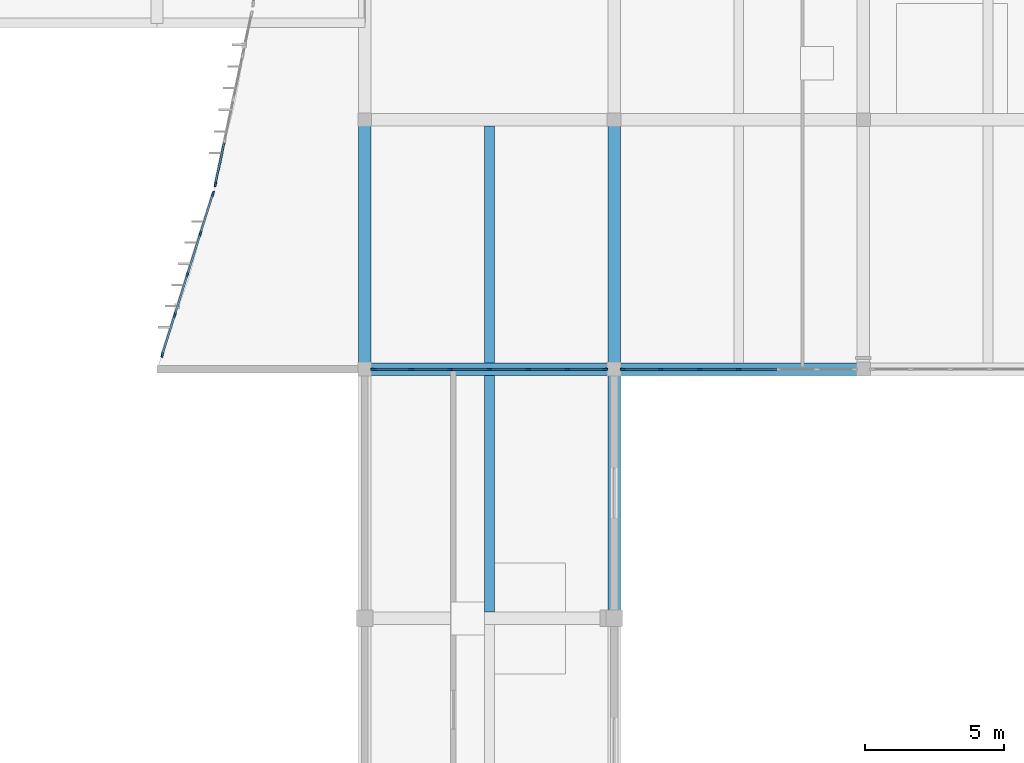
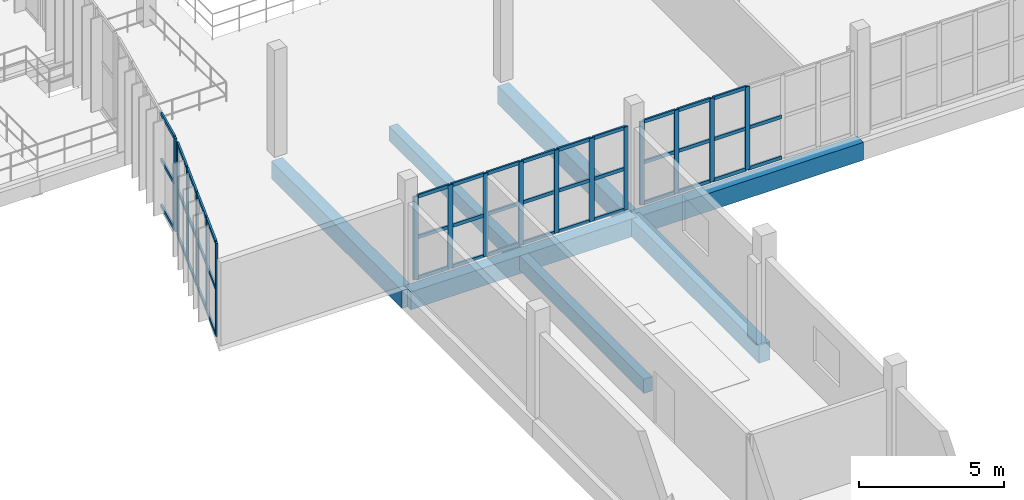
# One storey, part 28 of 81: 61 members, 7 beams, 4 elements without a shape of their own.
"""IFC4 building model written with IfcOpenShell, lengths in metres."""

from ifc_helpers import new_model, si_unit, direction, frame, origin, origin_2d, place, context, subcontext, project, spatial, rectangle, extrude, material, material_profile, profile_set, type_object, element, aggregate, save


model = new_model("IFC4")

# Units and contexts
model_context = context("Model", 3, precision=1e-05, world=origin(), true_north=direction((0.0, 1.0)))
body_context = subcontext(model_context, "Body", "Model", "MODEL_VIEW")
ifc_project = project(units=[si_unit("LENGTHUNIT", "METRE"), si_unit("AREAUNIT", "SQUARE_METRE"), si_unit("VOLUMEUNIT", "CUBIC_METRE"), si_unit("PLANEANGLEUNIT", "RADIAN"), si_unit("MASSUNIT", "GRAM", prefix="KILO")], contexts=[model_context])

# Site, building, storey
site_placement = place(None, origin())
site = spatial("IfcSite", under=ifc_project, at=site_placement, CompositionType="ELEMENT")
building_placement = place(site_placement, origin())
building = spatial("IfcBuilding", under=site, at=building_placement, Name="Vourika Railside Aquatics Centre", CompositionType="ELEMENT")
storey_placement = place(building_placement, frame((0.0, 0.0, 4.800048828125)))
storey = spatial("IfcBuildingStorey", under=building, at=storey_placement, Name="L01", CompositionType="ELEMENT", Elevation=4.800048828125)

# Beams
ifc_material_1 = material(Name="Concrete C35/45", Category="concrete")
ifc_material_profile_1 = material_profile(ifc_material_1, rectangle(XDim=0.449951171875, YDim=0.75, at=origin_2d()), Name="RC 450x750")
ifc_profile_set_1 = profile_set([ifc_material_profile_1], Name="Concrete C35/45")
beam_type_1 = type_object("IfcBeamType", Name="BM-GIRD-450x750", PredefinedType="BEAM", material=ifc_profile_set_1)
for number, where, z_axis, x_axis, name in (
    (1, (141.0, 40.0, -0.675048828125), (1.0, 0.0, 0.0), (0.0, 1.0, 0.0), "Floor Beam GX-L01-048"),
    (2, (150.0, 40.0, -0.675048828125), (1.0, 0.0, 0.0), (0.0, 1.0, 0.0), "Floor Beam GX-L01-049"),
    (3, (141.0, 40.0, -0.675048828125), (0.0, 1.0, 0.0), (-1.0, 0.0, 0.0), "Floor Girder GY-L01-272"),
    (4, (150.0, 31.0, -0.675048828125), (0.0, 1.0, 0.0), (-1.0, 0.0, 0.0), "Floor Girder GY-L01-282"),
    (5, (150.0, 40.0, -0.675048828125), (0.0, 1.0, 0.0), (-1.0, 0.0, 0.0), "Floor Girder GY-L01-283"),
):
    element("IfcBeam", number, at=place(storey_placement, frame(where, z_axis=z_axis, x_axis=x_axis)), inside=storey, type_object=beam_type_1, Name=name, PredefinedType="BEAM", context=body_context, shape_type="SweptSolid", body=[
        extrude(rectangle(XDim=0.449951171875, YDim=0.75, at=origin_2d()), origin(), (0.0, 0.0, 1.0), 9.0),
    ])
ifc_material_profile_2 = material_profile(ifc_material_1, rectangle(XDim=0.35009765625, YDim=0.60009765625, at=origin_2d()), Name="RC 350x600")
ifc_profile_set_2 = profile_set([ifc_material_profile_2], Name="Concrete C35/45")
beam_type_2 = type_object("IfcBeamType", Name="BM-SEC-350x600", PredefinedType="JOIST", material=ifc_profile_set_2)
for number, where, z_axis, x_axis, name in (
    (6, (145.5, 31.22509765625, -0.60009765625), (0.0, 1.0, 0.0), (-1.0, 0.0, 0.0), "Secondary Joist JY-L01-322"),
    (7, (145.5, 40.22509765625, -0.60009765625), (0.0, 1.0, 0.0), (-1.0, 0.0, 0.0), "Secondary Joist JY-L01-323"),
):
    element("IfcBeam", number, at=place(storey_placement, frame(where, z_axis=z_axis, x_axis=x_axis)), inside=storey, type_object=beam_type_2, Name=name, PredefinedType="JOIST", context=body_context, shape_type="SweptSolid", body=[
        extrude(rectangle(XDim=0.35009765625, YDim=0.60009765625, at=origin_2d()), origin(), (0.0, 0.0, 1.0), 8.5498046875),
    ])

# Curtain wall, members
ifc_material_2 = material(Name="Anodized thermally broken aluminium", Category="aluminium")
curtain_wall_type_1 = type_object("IfcCurtainWallType", Name="CW-FOYC1", PredefinedType="NOTDEFINED", material=ifc_material_2)
curtain_wall_1_placement = place(storey_placement, origin())
curtain_wall_1 = element("IfcCurtainWall", 8, at=curtain_wall_1_placement, inside=storey, type_object=curtain_wall_type_1, Name="Curved Courtyard Foyer Curtain Wall L01-1", PredefinedType="NOTDEFINED")
ifc_material_3 = material(Name="Anodized aluminium mullion", Category="aluminium")
ifc_material_profile_3 = material_profile(ifc_material_3, rectangle(XDim=0.070068359375, YDim=0.18505859375, at=origin_2d()), Name="ALU-M 70x185")
ifc_profile_set_3 = profile_set([ifc_material_profile_3], Name="Anodized aluminium mullion")
member_type_1 = type_object("IfcMemberType", Name="CWM-FOYC1", PredefinedType="MULLION", material=ifc_profile_set_3)
member_1_placement = place(storey_placement, frame((135.5185546875, 46.32666015625, 0.0), z_axis=(0.0, 0.0, 1.0), x_axis=(0.953947300696, -0.29997424472, 0.0)))
member_1 = element("IfcMember", 9, at=member_1_placement, type_object=member_type_1, Name="CW08 mullion 1", PredefinedType="MULLION", context=body_context, shape_type="SweptSolid", body=[
    extrude(rectangle(XDim=0.070068359375, YDim=0.18505859375, at=origin_2d()), origin(), (0.0, 0.0, 1.0), 3.919921875),
])
member_2_placement = place(storey_placement, frame((135.066650390625, 44.889892578125, 0.0), z_axis=(0.0, 0.0, 1.0), x_axis=(0.953947300696, -0.29997424472, 0.0)))
member_2 = element("IfcMember", 10, at=member_2_placement, type_object=member_type_1, Name="CW08 mullion 2", PredefinedType="MULLION", context=body_context, shape_type="SweptSolid", body=[
    extrude(rectangle(XDim=0.070068359375, YDim=0.18505859375, at=origin_2d()), origin(), (0.0, 0.0, 1.0), 3.919921875),
])
member_3_placement = place(storey_placement, frame((134.6044921875, 43.419921875, 0.0), z_axis=(0.0, 0.0, 1.0), x_axis=(0.953947300696, -0.29997424472, 0.0)))
member_3 = element("IfcMember", 11, at=member_3_placement, type_object=member_type_1, Name="CW08 mullion 3", PredefinedType="MULLION", context=body_context, shape_type="SweptSolid", body=[
    extrude(rectangle(XDim=0.070068359375, YDim=0.18505859375, at=origin_2d()), origin(), (0.0, 0.0, 1.0), 3.919921875),
])
member_4_placement = place(storey_placement, frame((134.142333984375, 41.949951171875, 0.0), z_axis=(0.0, 0.0, 1.0), x_axis=(0.953947300696, -0.29997424472, 0.0)))
member_4 = element("IfcMember", 12, at=member_4_placement, type_object=member_type_1, Name="CW08 mullion 4", PredefinedType="MULLION", context=body_context, shape_type="SweptSolid", body=[
    extrude(rectangle(XDim=0.070068359375, YDim=0.18505859375, at=origin_2d()), origin(), (0.0, 0.0, 1.0), 3.919921875),
])
member_5_placement = place(storey_placement, frame((133.6904296875, 40.513427734375, 0.0), z_axis=(0.0, 0.0, 1.0), x_axis=(0.953947300696, -0.29997424472, 0.0)))
member_5 = element("IfcMember", 13, at=member_5_placement, type_object=member_type_1, Name="CW08 mullion 5", PredefinedType="MULLION", context=body_context, shape_type="SweptSolid", body=[
    extrude(rectangle(XDim=0.070068359375, YDim=0.18505859375, at=origin_2d()), origin(), (0.0, 0.0, 1.0), 3.919921875),
])

# Curtain wall, member
curtain_wall_2_placement = place(storey_placement, origin())
curtain_wall_2 = element("IfcCurtainWall", 14, at=curtain_wall_2_placement, inside=storey, type_object=curtain_wall_type_1, Name="Curved Courtyard Foyer Curtain Wall L01-2", PredefinedType="NOTDEFINED")
member_6_placement = place(storey_placement, frame((135.609375, 46.67431640625, 0.0), z_axis=(0.0, 0.0, 1.0), x_axis=(0.978214773139, -0.207595418094, 0.0)))
member_6 = element("IfcMember", 15, at=member_6_placement, type_object=member_type_1, Name="CW08 mullion 5", PredefinedType="MULLION", context=body_context, shape_type="SweptSolid", body=[
    extrude(rectangle(XDim=0.070068359375, YDim=0.18505859375, at=origin_2d()), origin(), (0.0, 0.0, 1.0), 3.919921875),
])

# Curtain wall, members
curtain_wall_type_2 = type_object("IfcCurtainWallType", Name="CW-FOYS", PredefinedType="NOTDEFINED", material=ifc_material_2)
curtain_wall_3_placement = place(storey_placement, origin())
curtain_wall_3 = element("IfcCurtainWall", 16, at=curtain_wall_3_placement, inside=storey, type_object=curtain_wall_type_2, Name="Foyer South Glazed Facade L01-1", PredefinedType="NOTDEFINED")
ifc_material_profile_4 = material_profile(ifc_material_3, rectangle(XDim=0.072021484375, YDim=0.181884765625, at=origin_2d()), Name="ALU-M 72x182")
ifc_profile_set_4 = profile_set([ifc_material_profile_4], Name="Anodized aluminium mullion")
member_type_2 = type_object("IfcMemberType", Name="CWM-FOYS", PredefinedType="MULLION", material=ifc_profile_set_4)
member_7_placement = place(storey_placement, frame((141.31591796875, 40.0, 0.0), z_axis=(0.0, 0.0, 1.0), x_axis=(0.0, 1.0, 0.0)))
member_7 = element("IfcMember", 17, at=member_7_placement, type_object=member_type_2, Name="CW11 mullion 1", PredefinedType="MULLION", context=body_context, shape_type="SweptSolid", body=[
    extrude(rectangle(XDim=0.072021484375, YDim=0.181884765625, at=origin_2d()), origin(), (0.0, 0.0, 1.0), 3.5),
])
member_8_placement = place(storey_placement, frame((142.686767578125, 40.0, 0.0), z_axis=(0.0, 0.0, 1.0), x_axis=(0.0, 1.0, 0.0)))
member_8 = element("IfcMember", 18, at=member_8_placement, type_object=member_type_2, Name="CW11 mullion 2", PredefinedType="MULLION", context=body_context, shape_type="SweptSolid", body=[
    extrude(rectangle(XDim=0.072021484375, YDim=0.181884765625, at=origin_2d()), origin(), (0.0, 0.0, 1.0), 3.5),
])
member_9_placement = place(storey_placement, frame((144.09326171875, 40.0, 0.0), z_axis=(0.0, 0.0, 1.0), x_axis=(0.0, 1.0, 0.0)))
member_9 = element("IfcMember", 19, at=member_9_placement, type_object=member_type_2, Name="CW11 mullion 3", PredefinedType="MULLION", context=body_context, shape_type="SweptSolid", body=[
    extrude(rectangle(XDim=0.072021484375, YDim=0.181884765625, at=origin_2d()), origin(), (0.0, 0.0, 1.0), 3.5),
])
member_10_placement = place(storey_placement, frame((145.5, 40.0, 0.0), z_axis=(0.0, 0.0, 1.0), x_axis=(0.0, 1.0, 0.0)))
member_10 = element("IfcMember", 20, at=member_10_placement, type_object=member_type_2, Name="CW11 mullion 4", PredefinedType="MULLION", context=body_context, shape_type="SweptSolid", body=[
    extrude(rectangle(XDim=0.072021484375, YDim=0.181884765625, at=origin_2d()), origin(), (0.0, 0.0, 1.0), 3.5),
])
member_11_placement = place(storey_placement, frame((146.90673828125, 40.0, 0.0), z_axis=(0.0, 0.0, 1.0), x_axis=(0.0, 1.0, 0.0)))
member_11 = element("IfcMember", 21, at=member_11_placement, type_object=member_type_2, Name="CW11 mullion 5", PredefinedType="MULLION", context=body_context, shape_type="SweptSolid", body=[
    extrude(rectangle(XDim=0.072021484375, YDim=0.181884765625, at=origin_2d()), origin(), (0.0, 0.0, 1.0), 3.5),
])
member_12_placement = place(storey_placement, frame((148.313232421875, 40.0, 0.0), z_axis=(0.0, 0.0, 1.0), x_axis=(0.0, 1.0, 0.0)))
member_12 = element("IfcMember", 22, at=member_12_placement, type_object=member_type_2, Name="CW11 mullion 6", PredefinedType="MULLION", context=body_context, shape_type="SweptSolid", body=[
    extrude(rectangle(XDim=0.072021484375, YDim=0.181884765625, at=origin_2d()), origin(), (0.0, 0.0, 1.0), 3.5),
])
member_13_placement = place(storey_placement, frame((149.68408203125, 40.0, 0.0), z_axis=(0.0, 0.0, 1.0), x_axis=(0.0, 1.0, 0.0)))
member_13 = element("IfcMember", 23, at=member_13_placement, type_object=member_type_2, Name="CW11 mullion 7", PredefinedType="MULLION", context=body_context, shape_type="SweptSolid", body=[
    extrude(rectangle(XDim=0.072021484375, YDim=0.181884765625, at=origin_2d()), origin(), (0.0, 0.0, 1.0), 3.5),
])

curtain_wall_4_placement = place(storey_placement, origin())
curtain_wall_4 = element("IfcCurtainWall", 24, at=curtain_wall_4_placement, inside=storey, type_object=curtain_wall_type_2, Name="Foyer South Glazed Facade L01-2", PredefinedType="NOTDEFINED")
member_14_placement = place(storey_placement, frame((150.31591796875, 40.0, 0.0), z_axis=(0.0, 0.0, 1.0), x_axis=(0.0, 1.0, 0.0)))
member_14 = element("IfcMember", 25, at=member_14_placement, type_object=member_type_2, Name="CW11 mullion 1", PredefinedType="MULLION", context=body_context, shape_type="SweptSolid", body=[
    extrude(rectangle(XDim=0.072021484375, YDim=0.181884765625, at=origin_2d()), origin(), (0.0, 0.0, 1.0), 3.5),
])
member_15_placement = place(storey_placement, frame((151.686767578125, 40.0, 0.0), z_axis=(0.0, 0.0, 1.0), x_axis=(0.0, 1.0, 0.0)))
member_15 = element("IfcMember", 26, at=member_15_placement, type_object=member_type_2, Name="CW11 mullion 2", PredefinedType="MULLION", context=body_context, shape_type="SweptSolid", body=[
    extrude(rectangle(XDim=0.072021484375, YDim=0.181884765625, at=origin_2d()), origin(), (0.0, 0.0, 1.0), 3.5),
])
member_16_placement = place(storey_placement, frame((153.09326171875, 40.0, 0.0), z_axis=(0.0, 0.0, 1.0), x_axis=(0.0, 1.0, 0.0)))
member_16 = element("IfcMember", 27, at=member_16_placement, type_object=member_type_2, Name="CW11 mullion 3", PredefinedType="MULLION", context=body_context, shape_type="SweptSolid", body=[
    extrude(rectangle(XDim=0.072021484375, YDim=0.181884765625, at=origin_2d()), origin(), (0.0, 0.0, 1.0), 3.5),
])
member_17_placement = place(storey_placement, frame((154.5, 40.0, 0.0), z_axis=(0.0, 0.0, 1.0), x_axis=(0.0, 1.0, 0.0)))
member_17 = element("IfcMember", 28, at=member_17_placement, type_object=member_type_2, Name="CW11 mullion 4", PredefinedType="MULLION", context=body_context, shape_type="SweptSolid", body=[
    extrude(rectangle(XDim=0.072021484375, YDim=0.181884765625, at=origin_2d()), origin(), (0.0, 0.0, 1.0), 3.5),
])

# Member
ifc_material_4 = material(Name="Anodized aluminium transom", Category="aluminium")
ifc_material_profile_5 = material_profile(ifc_material_4, rectangle(XDim=0.070068359375, YDim=0.14599609375, at=origin_2d()), Name="ALU-T 70x146")
ifc_profile_set_5 = profile_set([ifc_material_profile_5], Name="Anodized aluminium transom")
member_type_3 = type_object("IfcMemberType", Name="CWT-FOYC1", PredefinedType="USERDEFINED", material=ifc_profile_set_5)
member_18_placement = place(storey_placement, frame((135.508056640625, 46.293212890625, 0.034912109375), z_axis=(-0.300065306812, -0.953918660918, 0.0), x_axis=(0.953918660918, -0.300065306812, 0.0)))
member_18 = element("IfcMember", 29, at=member_18_placement, type_object=member_type_3, Name="CW08 transom 1.1", ObjectType="TRANSOM", PredefinedType="USERDEFINED", context=body_context, shape_type="SweptSolid", body=[
    extrude(rectangle(XDim=0.070068359375, YDim=0.14599609375, at=origin_2d()), origin(), (0.0, 0.0, 1.0), 1.43603515625),
])

member_19_placement = place(storey_placement, frame((135.508056640625, 46.293212890625, 1.9599609375), z_axis=(-0.300065306812, -0.953918660918, 0.0), x_axis=(0.953918660918, -0.300065306812, 0.0)))
member_19 = element("IfcMember", 30, at=member_19_placement, type_object=member_type_3, Name="CW08 transom 1.2", ObjectType="TRANSOM", PredefinedType="USERDEFINED", context=body_context, shape_type="SweptSolid", body=[
    extrude(rectangle(XDim=0.070068359375, YDim=0.14599609375, at=origin_2d()), origin(), (0.0, 0.0, 1.0), 1.43603515625),
])

member_20_placement = place(storey_placement, frame((135.508056640625, 46.293212890625, 3.885009765625), z_axis=(-0.300065306812, -0.953918660918, 0.0), x_axis=(0.953918660918, -0.300065306812, 0.0)))
member_20 = element("IfcMember", 31, at=member_20_placement, type_object=member_type_3, Name="CW08 transom 1.3", ObjectType="TRANSOM", PredefinedType="USERDEFINED", context=body_context, shape_type="SweptSolid", body=[
    extrude(rectangle(XDim=0.070068359375, YDim=0.14599609375, at=origin_2d()), origin(), (0.0, 0.0, 1.0), 1.43603515625),
])

member_21_placement = place(storey_placement, frame((135.05615234375, 44.856689453125, 0.034912109375), z_axis=(-0.299899961063, -0.953970656443, 0.0), x_axis=(0.953970656443, -0.299899961063, 0.0)))
member_21 = element("IfcMember", 32, at=member_21_placement, type_object=member_type_3, Name="CW08 transom 2.1", ObjectType="TRANSOM", PredefinedType="USERDEFINED", context=body_context, shape_type="SweptSolid", body=[
    extrude(rectangle(XDim=0.070068359375, YDim=0.14599609375, at=origin_2d()), origin(), (0.0, 0.0, 1.0), 1.470947265625),
])

member_22_placement = place(storey_placement, frame((135.05615234375, 44.856689453125, 1.9599609375), z_axis=(-0.299899961063, -0.953970656443, 0.0), x_axis=(0.953970656443, -0.299899961063, 0.0)))
member_22 = element("IfcMember", 33, at=member_22_placement, type_object=member_type_3, Name="CW08 transom 2.2", ObjectType="TRANSOM", PredefinedType="USERDEFINED", context=body_context, shape_type="SweptSolid", body=[
    extrude(rectangle(XDim=0.070068359375, YDim=0.14599609375, at=origin_2d()), origin(), (0.0, 0.0, 1.0), 1.470947265625),
])

member_23_placement = place(storey_placement, frame((135.05615234375, 44.856689453125, 3.885009765625), z_axis=(-0.299899961063, -0.953970656443, 0.0), x_axis=(0.953970656443, -0.299899961063, 0.0)))
member_23 = element("IfcMember", 34, at=member_23_placement, type_object=member_type_3, Name="CW08 transom 2.3", ObjectType="TRANSOM", PredefinedType="USERDEFINED", context=body_context, shape_type="SweptSolid", body=[
    extrude(rectangle(XDim=0.070068359375, YDim=0.14599609375, at=origin_2d()), origin(), (0.0, 0.0, 1.0), 1.470947265625),
])

member_24_placement = place(storey_placement, frame((134.593994140625, 43.38671875, 0.034912109375), z_axis=(-0.299899961063, -0.953970656443, 0.0), x_axis=(0.953970656443, -0.299899961063, 0.0)))
member_24 = element("IfcMember", 35, at=member_24_placement, type_object=member_type_3, Name="CW08 transom 3.1", ObjectType="TRANSOM", PredefinedType="USERDEFINED", context=body_context, shape_type="SweptSolid", body=[
    extrude(rectangle(XDim=0.070068359375, YDim=0.14599609375, at=origin_2d()), origin(), (0.0, 0.0, 1.0), 1.470947265625),
])

member_25_placement = place(storey_placement, frame((134.593994140625, 43.38671875, 1.9599609375), z_axis=(-0.299899961063, -0.953970656443, 0.0), x_axis=(0.953970656443, -0.299899961063, 0.0)))
member_25 = element("IfcMember", 36, at=member_25_placement, type_object=member_type_3, Name="CW08 transom 3.2", ObjectType="TRANSOM", PredefinedType="USERDEFINED", context=body_context, shape_type="SweptSolid", body=[
    extrude(rectangle(XDim=0.070068359375, YDim=0.14599609375, at=origin_2d()), origin(), (0.0, 0.0, 1.0), 1.470947265625),
])

member_26_placement = place(storey_placement, frame((134.593994140625, 43.38671875, 3.885009765625), z_axis=(-0.299899961063, -0.953970656443, 0.0), x_axis=(0.953970656443, -0.299899961063, 0.0)))
member_26 = element("IfcMember", 37, at=member_26_placement, type_object=member_type_3, Name="CW08 transom 3.3", ObjectType="TRANSOM", PredefinedType="USERDEFINED", context=body_context, shape_type="SweptSolid", body=[
    extrude(rectangle(XDim=0.070068359375, YDim=0.14599609375, at=origin_2d()), origin(), (0.0, 0.0, 1.0), 1.470947265625),
])

member_27_placement = place(storey_placement, frame((134.1318359375, 41.91650390625, 0.034912109375), z_axis=(-0.300113977239, -0.953903349751, 0.0), x_axis=(0.953903349751, -0.300113977239, 0.0)))
member_27 = element("IfcMember", 38, at=member_27_placement, type_object=member_type_3, Name="CW08 transom 4.1", ObjectType="TRANSOM", PredefinedType="USERDEFINED", context=body_context, shape_type="SweptSolid", body=[
    extrude(rectangle(XDim=0.070068359375, YDim=0.14599609375, at=origin_2d()), origin(), (0.0, 0.0, 1.0), 1.435791015625),
])

member_28_placement = place(storey_placement, frame((134.1318359375, 41.91650390625, 1.9599609375), z_axis=(-0.300113977239, -0.953903349751, 0.0), x_axis=(0.953903349751, -0.300113977239, 0.0)))
member_28 = element("IfcMember", 39, at=member_28_placement, type_object=member_type_3, Name="CW08 transom 4.2", ObjectType="TRANSOM", PredefinedType="USERDEFINED", context=body_context, shape_type="SweptSolid", body=[
    extrude(rectangle(XDim=0.070068359375, YDim=0.14599609375, at=origin_2d()), origin(), (0.0, 0.0, 1.0), 1.435791015625),
])

member_29_placement = place(storey_placement, frame((134.1318359375, 41.91650390625, 3.885009765625), z_axis=(-0.300113977239, -0.953903349751, 0.0), x_axis=(0.953903349751, -0.300113977239, 0.0)))
member_29 = element("IfcMember", 40, at=member_29_placement, type_object=member_type_3, Name="CW08 transom 4.3", ObjectType="TRANSOM", PredefinedType="USERDEFINED", context=body_context, shape_type="SweptSolid", body=[
    extrude(rectangle(XDim=0.070068359375, YDim=0.14599609375, at=origin_2d()), origin(), (0.0, 0.0, 1.0), 1.435791015625),
])

aggregate(curtain_wall_1, [member_1, member_2, member_3, member_4, member_5, member_18, member_19, member_20, member_21, member_22, member_23, member_24, member_25, member_26, member_27, member_28, member_29])

member_30_placement = place(storey_placement, frame((135.9248046875, 48.16064453125, 0.034912109375), z_axis=(-0.207709269324, -0.97819060486, 0.0), x_axis=(0.97819060486, -0.207709269324, 0.0)))
member_30 = element("IfcMember", 41, at=member_30_placement, type_object=member_type_3, Name="CW08 transom 4.1", ObjectType="TRANSOM", PredefinedType="USERDEFINED", context=body_context, shape_type="SweptSolid", body=[
    extrude(rectangle(XDim=0.070068359375, YDim=0.14599609375, at=origin_2d()), origin(), (0.0, 0.0, 1.0), 1.484619140625),
])

member_31_placement = place(storey_placement, frame((135.9248046875, 48.16064453125, 1.9599609375), z_axis=(-0.207709269324, -0.97819060486, 0.0), x_axis=(0.97819060486, -0.207709269324, 0.0)))
member_31 = element("IfcMember", 42, at=member_31_placement, type_object=member_type_3, Name="CW08 transom 4.2", ObjectType="TRANSOM", PredefinedType="USERDEFINED", context=body_context, shape_type="SweptSolid", body=[
    extrude(rectangle(XDim=0.070068359375, YDim=0.14599609375, at=origin_2d()), origin(), (0.0, 0.0, 1.0), 1.484619140625),
])

member_32_placement = place(storey_placement, frame((135.9248046875, 48.16064453125, 3.885009765625), z_axis=(-0.207709269324, -0.97819060486, 0.0), x_axis=(0.97819060486, -0.207709269324, 0.0)))
member_32 = element("IfcMember", 43, at=member_32_placement, type_object=member_type_3, Name="CW08 transom 4.3", ObjectType="TRANSOM", PredefinedType="USERDEFINED", context=body_context, shape_type="SweptSolid", body=[
    extrude(rectangle(XDim=0.070068359375, YDim=0.14599609375, at=origin_2d()), origin(), (0.0, 0.0, 1.0), 1.484619140625),
])

aggregate(curtain_wall_2, [member_6, member_30, member_31, member_32])

ifc_material_profile_6 = material_profile(ifc_material_4, rectangle(XDim=0.072021484375, YDim=0.14404296875, at=origin_2d()), Name="ALU-T 72x144")
ifc_profile_set_6 = profile_set([ifc_material_profile_6], Name="Anodized aluminium transom")
member_type_4 = type_object("IfcMemberType", Name="CWT-FOYS", PredefinedType="USERDEFINED", material=ifc_profile_set_6)
member_33_placement = place(storey_placement, frame((141.35205078125, 40.0, 0.035888671875), z_axis=(1.0, 0.0, 0.0), x_axis=(0.0, 1.0, 0.0)))
member_33 = element("IfcMember", 44, at=member_33_placement, type_object=member_type_4, Name="CW11 transom 1.1", ObjectType="TRANSOM", PredefinedType="USERDEFINED", context=body_context, shape_type="SweptSolid", body=[
    extrude(rectangle(XDim=0.072021484375, YDim=0.14404296875, at=origin_2d()), origin(), (0.0, 0.0, 1.0), 1.298583984375),
])

member_34_placement = place(storey_placement, frame((141.35205078125, 40.0, 1.75), z_axis=(1.0, 0.0, 0.0), x_axis=(0.0, 1.0, 0.0)))
member_34 = element("IfcMember", 45, at=member_34_placement, type_object=member_type_4, Name="CW11 transom 1.2", ObjectType="TRANSOM", PredefinedType="USERDEFINED", context=body_context, shape_type="SweptSolid", body=[
    extrude(rectangle(XDim=0.072021484375, YDim=0.14404296875, at=origin_2d()), origin(), (0.0, 0.0, 1.0), 1.298583984375),
])

member_35_placement = place(storey_placement, frame((141.35205078125, 40.0, 3.4638671875), z_axis=(1.0, 0.0, 0.0), x_axis=(0.0, 1.0, 0.0)))
member_35 = element("IfcMember", 46, at=member_35_placement, type_object=member_type_4, Name="CW11 transom 1.3", ObjectType="TRANSOM", PredefinedType="USERDEFINED", context=body_context, shape_type="SweptSolid", body=[
    extrude(rectangle(XDim=0.072021484375, YDim=0.14404296875, at=origin_2d()), origin(), (0.0, 0.0, 1.0), 1.298583984375),
])

member_36_placement = place(storey_placement, frame((142.72265625, 40.0, 0.035888671875), z_axis=(1.0, 0.0, 0.0), x_axis=(0.0, 1.0, 0.0)))
member_36 = element("IfcMember", 47, at=member_36_placement, type_object=member_type_4, Name="CW11 transom 2.1", ObjectType="TRANSOM", PredefinedType="USERDEFINED", context=body_context, shape_type="SweptSolid", body=[
    extrude(rectangle(XDim=0.072021484375, YDim=0.14404296875, at=origin_2d()), origin(), (0.0, 0.0, 1.0), 1.334716796875),
])

member_37_placement = place(storey_placement, frame((142.72265625, 40.0, 1.75), z_axis=(1.0, 0.0, 0.0), x_axis=(0.0, 1.0, 0.0)))
member_37 = element("IfcMember", 48, at=member_37_placement, type_object=member_type_4, Name="CW11 transom 2.2", ObjectType="TRANSOM", PredefinedType="USERDEFINED", context=body_context, shape_type="SweptSolid", body=[
    extrude(rectangle(XDim=0.072021484375, YDim=0.14404296875, at=origin_2d()), origin(), (0.0, 0.0, 1.0), 1.334716796875),
])

member_38_placement = place(storey_placement, frame((142.72265625, 40.0, 3.4638671875), z_axis=(1.0, 0.0, 0.0), x_axis=(0.0, 1.0, 0.0)))
member_38 = element("IfcMember", 49, at=member_38_placement, type_object=member_type_4, Name="CW11 transom 2.3", ObjectType="TRANSOM", PredefinedType="USERDEFINED", context=body_context, shape_type="SweptSolid", body=[
    extrude(rectangle(XDim=0.072021484375, YDim=0.14404296875, at=origin_2d()), origin(), (0.0, 0.0, 1.0), 1.334716796875),
])

member_39_placement = place(storey_placement, frame((144.12939453125, 40.0, 0.035888671875), z_axis=(1.0, 0.0, 0.0), x_axis=(0.0, 1.0, 0.0)))
member_39 = element("IfcMember", 50, at=member_39_placement, type_object=member_type_4, Name="CW11 transom 3.1", ObjectType="TRANSOM", PredefinedType="USERDEFINED", context=body_context, shape_type="SweptSolid", body=[
    extrude(rectangle(XDim=0.072021484375, YDim=0.14404296875, at=origin_2d()), origin(), (0.0, 0.0, 1.0), 1.334716796875),
])

member_40_placement = place(storey_placement, frame((144.12939453125, 40.0, 1.75), z_axis=(1.0, 0.0, 0.0), x_axis=(0.0, 1.0, 0.0)))
member_40 = element("IfcMember", 51, at=member_40_placement, type_object=member_type_4, Name="CW11 transom 3.2", ObjectType="TRANSOM", PredefinedType="USERDEFINED", context=body_context, shape_type="SweptSolid", body=[
    extrude(rectangle(XDim=0.072021484375, YDim=0.14404296875, at=origin_2d()), origin(), (0.0, 0.0, 1.0), 1.334716796875),
])

member_41_placement = place(storey_placement, frame((144.12939453125, 40.0, 3.4638671875), z_axis=(1.0, 0.0, 0.0), x_axis=(0.0, 1.0, 0.0)))
member_41 = element("IfcMember", 52, at=member_41_placement, type_object=member_type_4, Name="CW11 transom 3.3", ObjectType="TRANSOM", PredefinedType="USERDEFINED", context=body_context, shape_type="SweptSolid", body=[
    extrude(rectangle(XDim=0.072021484375, YDim=0.14404296875, at=origin_2d()), origin(), (0.0, 0.0, 1.0), 1.334716796875),
])

member_42_placement = place(storey_placement, frame((145.535888671875, 40.0, 0.035888671875), z_axis=(1.0, 0.0, 0.0), x_axis=(0.0, 1.0, 0.0)))
member_42 = element("IfcMember", 53, at=member_42_placement, type_object=member_type_4, Name="CW11 transom 4.1", ObjectType="TRANSOM", PredefinedType="USERDEFINED", context=body_context, shape_type="SweptSolid", body=[
    extrude(rectangle(XDim=0.072021484375, YDim=0.14404296875, at=origin_2d()), origin(), (0.0, 0.0, 1.0), 1.334716796875),
])

member_43_placement = place(storey_placement, frame((145.535888671875, 40.0, 1.75), z_axis=(1.0, 0.0, 0.0), x_axis=(0.0, 1.0, 0.0)))
member_43 = element("IfcMember", 54, at=member_43_placement, type_object=member_type_4, Name="CW11 transom 4.2", ObjectType="TRANSOM", PredefinedType="USERDEFINED", context=body_context, shape_type="SweptSolid", body=[
    extrude(rectangle(XDim=0.072021484375, YDim=0.14404296875, at=origin_2d()), origin(), (0.0, 0.0, 1.0), 1.334716796875),
])

member_44_placement = place(storey_placement, frame((145.535888671875, 40.0, 3.4638671875), z_axis=(1.0, 0.0, 0.0), x_axis=(0.0, 1.0, 0.0)))
member_44 = element("IfcMember", 55, at=member_44_placement, type_object=member_type_4, Name="CW11 transom 4.3", ObjectType="TRANSOM", PredefinedType="USERDEFINED", context=body_context, shape_type="SweptSolid", body=[
    extrude(rectangle(XDim=0.072021484375, YDim=0.14404296875, at=origin_2d()), origin(), (0.0, 0.0, 1.0), 1.334716796875),
])

member_45_placement = place(storey_placement, frame((146.942626953125, 40.0, 0.035888671875), z_axis=(1.0, 0.0, 0.0), x_axis=(0.0, 1.0, 0.0)))
member_45 = element("IfcMember", 56, at=member_45_placement, type_object=member_type_4, Name="CW11 transom 5.1", ObjectType="TRANSOM", PredefinedType="USERDEFINED", context=body_context, shape_type="SweptSolid", body=[
    extrude(rectangle(XDim=0.072021484375, YDim=0.14404296875, at=origin_2d()), origin(), (0.0, 0.0, 1.0), 1.334716796875),
])

member_46_placement = place(storey_placement, frame((146.942626953125, 40.0, 1.75), z_axis=(1.0, 0.0, 0.0), x_axis=(0.0, 1.0, 0.0)))
member_46 = element("IfcMember", 57, at=member_46_placement, type_object=member_type_4, Name="CW11 transom 5.2", ObjectType="TRANSOM", PredefinedType="USERDEFINED", context=body_context, shape_type="SweptSolid", body=[
    extrude(rectangle(XDim=0.072021484375, YDim=0.14404296875, at=origin_2d()), origin(), (0.0, 0.0, 1.0), 1.334716796875),
])

member_47_placement = place(storey_placement, frame((146.942626953125, 40.0, 3.4638671875), z_axis=(1.0, 0.0, 0.0), x_axis=(0.0, 1.0, 0.0)))
member_47 = element("IfcMember", 58, at=member_47_placement, type_object=member_type_4, Name="CW11 transom 5.3", ObjectType="TRANSOM", PredefinedType="USERDEFINED", context=body_context, shape_type="SweptSolid", body=[
    extrude(rectangle(XDim=0.072021484375, YDim=0.14404296875, at=origin_2d()), origin(), (0.0, 0.0, 1.0), 1.334716796875),
])

member_48_placement = place(storey_placement, frame((148.349365234375, 40.0, 0.035888671875), z_axis=(1.0, 0.0, 0.0), x_axis=(0.0, 1.0, 0.0)))
member_48 = element("IfcMember", 59, at=member_48_placement, type_object=member_type_4, Name="CW11 transom 6.1", ObjectType="TRANSOM", PredefinedType="USERDEFINED", context=body_context, shape_type="SweptSolid", body=[
    extrude(rectangle(XDim=0.072021484375, YDim=0.14404296875, at=origin_2d()), origin(), (0.0, 0.0, 1.0), 1.298583984375),
])

member_49_placement = place(storey_placement, frame((148.349365234375, 40.0, 1.75), z_axis=(1.0, 0.0, 0.0), x_axis=(0.0, 1.0, 0.0)))
member_49 = element("IfcMember", 60, at=member_49_placement, type_object=member_type_4, Name="CW11 transom 6.2", ObjectType="TRANSOM", PredefinedType="USERDEFINED", context=body_context, shape_type="SweptSolid", body=[
    extrude(rectangle(XDim=0.072021484375, YDim=0.14404296875, at=origin_2d()), origin(), (0.0, 0.0, 1.0), 1.298583984375),
])

member_50_placement = place(storey_placement, frame((148.349365234375, 40.0, 3.4638671875), z_axis=(1.0, 0.0, 0.0), x_axis=(0.0, 1.0, 0.0)))
member_50 = element("IfcMember", 61, at=member_50_placement, type_object=member_type_4, Name="CW11 transom 6.3", ObjectType="TRANSOM", PredefinedType="USERDEFINED", context=body_context, shape_type="SweptSolid", body=[
    extrude(rectangle(XDim=0.072021484375, YDim=0.14404296875, at=origin_2d()), origin(), (0.0, 0.0, 1.0), 1.298583984375),
])

aggregate(curtain_wall_3, [member_7, member_8, member_9, member_10, member_11, member_12, member_13, member_33, member_34, member_35, member_36, member_37, member_38, member_39, member_40, member_41, member_42, member_43, member_44, member_45, member_46, member_47, member_48, member_49, member_50])

member_51_placement = place(storey_placement, frame((150.35205078125, 40.0, 0.035888671875), z_axis=(1.0, 0.0, 0.0), x_axis=(0.0, 1.0, 0.0)))
member_51 = element("IfcMember", 62, at=member_51_placement, type_object=member_type_4, Name="CW11 transom 1.1", ObjectType="TRANSOM", PredefinedType="USERDEFINED", context=body_context, shape_type="SweptSolid", body=[
    extrude(rectangle(XDim=0.072021484375, YDim=0.14404296875, at=origin_2d()), origin(), (0.0, 0.0, 1.0), 1.298583984375),
])

member_52_placement = place(storey_placement, frame((150.35205078125, 40.0, 1.75), z_axis=(1.0, 0.0, 0.0), x_axis=(0.0, 1.0, 0.0)))
member_52 = element("IfcMember", 63, at=member_52_placement, type_object=member_type_4, Name="CW11 transom 1.2", ObjectType="TRANSOM", PredefinedType="USERDEFINED", context=body_context, shape_type="SweptSolid", body=[
    extrude(rectangle(XDim=0.072021484375, YDim=0.14404296875, at=origin_2d()), origin(), (0.0, 0.0, 1.0), 1.298583984375),
])

member_53_placement = place(storey_placement, frame((150.35205078125, 40.0, 3.4638671875), z_axis=(1.0, 0.0, 0.0), x_axis=(0.0, 1.0, 0.0)))
member_53 = element("IfcMember", 64, at=member_53_placement, type_object=member_type_4, Name="CW11 transom 1.3", ObjectType="TRANSOM", PredefinedType="USERDEFINED", context=body_context, shape_type="SweptSolid", body=[
    extrude(rectangle(XDim=0.072021484375, YDim=0.14404296875, at=origin_2d()), origin(), (0.0, 0.0, 1.0), 1.298583984375),
])

member_54_placement = place(storey_placement, frame((151.72265625, 40.0, 0.035888671875), z_axis=(1.0, 0.0, 0.0), x_axis=(0.0, 1.0, 0.0)))
member_54 = element("IfcMember", 65, at=member_54_placement, type_object=member_type_4, Name="CW11 transom 2.1", ObjectType="TRANSOM", PredefinedType="USERDEFINED", context=body_context, shape_type="SweptSolid", body=[
    extrude(rectangle(XDim=0.072021484375, YDim=0.14404296875, at=origin_2d()), origin(), (0.0, 0.0, 1.0), 1.334716796875),
])

member_55_placement = place(storey_placement, frame((151.72265625, 40.0, 1.75), z_axis=(1.0, 0.0, 0.0), x_axis=(0.0, 1.0, 0.0)))
member_55 = element("IfcMember", 66, at=member_55_placement, type_object=member_type_4, Name="CW11 transom 2.2", ObjectType="TRANSOM", PredefinedType="USERDEFINED", context=body_context, shape_type="SweptSolid", body=[
    extrude(rectangle(XDim=0.072021484375, YDim=0.14404296875, at=origin_2d()), origin(), (0.0, 0.0, 1.0), 1.334716796875),
])

member_56_placement = place(storey_placement, frame((151.72265625, 40.0, 3.4638671875), z_axis=(1.0, 0.0, 0.0), x_axis=(0.0, 1.0, 0.0)))
member_56 = element("IfcMember", 67, at=member_56_placement, type_object=member_type_4, Name="CW11 transom 2.3", ObjectType="TRANSOM", PredefinedType="USERDEFINED", context=body_context, shape_type="SweptSolid", body=[
    extrude(rectangle(XDim=0.072021484375, YDim=0.14404296875, at=origin_2d()), origin(), (0.0, 0.0, 1.0), 1.334716796875),
])

member_57_placement = place(storey_placement, frame((153.12939453125, 40.0, 0.035888671875), z_axis=(1.0, 0.0, 0.0), x_axis=(0.0, 1.0, 0.0)))
member_57 = element("IfcMember", 68, at=member_57_placement, type_object=member_type_4, Name="CW11 transom 3.1", ObjectType="TRANSOM", PredefinedType="USERDEFINED", context=body_context, shape_type="SweptSolid", body=[
    extrude(rectangle(XDim=0.072021484375, YDim=0.14404296875, at=origin_2d()), origin(), (0.0, 0.0, 1.0), 1.334716796875),
])

member_58_placement = place(storey_placement, frame((153.12939453125, 40.0, 1.75), z_axis=(1.0, 0.0, 0.0), x_axis=(0.0, 1.0, 0.0)))
member_58 = element("IfcMember", 69, at=member_58_placement, type_object=member_type_4, Name="CW11 transom 3.2", ObjectType="TRANSOM", PredefinedType="USERDEFINED", context=body_context, shape_type="SweptSolid", body=[
    extrude(rectangle(XDim=0.072021484375, YDim=0.14404296875, at=origin_2d()), origin(), (0.0, 0.0, 1.0), 1.334716796875),
])

member_59_placement = place(storey_placement, frame((153.12939453125, 40.0, 3.4638671875), z_axis=(1.0, 0.0, 0.0), x_axis=(0.0, 1.0, 0.0)))
member_59 = element("IfcMember", 70, at=member_59_placement, type_object=member_type_4, Name="CW11 transom 3.3", ObjectType="TRANSOM", PredefinedType="USERDEFINED", context=body_context, shape_type="SweptSolid", body=[
    extrude(rectangle(XDim=0.072021484375, YDim=0.14404296875, at=origin_2d()), origin(), (0.0, 0.0, 1.0), 1.334716796875),
])

member_60_placement = place(storey_placement, frame((154.535888671875, 40.0, 0.035888671875), z_axis=(1.0, 0.0, 0.0), x_axis=(0.0, 1.0, 0.0)))
member_60 = element("IfcMember", 71, at=member_60_placement, type_object=member_type_4, Name="CW11 transom 4.1", ObjectType="TRANSOM", PredefinedType="USERDEFINED", context=body_context, shape_type="SweptSolid", body=[
    extrude(rectangle(XDim=0.072021484375, YDim=0.14404296875, at=origin_2d()), origin(), (0.0, 0.0, 1.0), 1.334716796875),
])

member_61_placement = place(storey_placement, frame((154.535888671875, 40.0, 1.75), z_axis=(1.0, 0.0, 0.0), x_axis=(0.0, 1.0, 0.0)))
member_61 = element("IfcMember", 72, at=member_61_placement, type_object=member_type_4, Name="CW11 transom 4.2", ObjectType="TRANSOM", PredefinedType="USERDEFINED", context=body_context, shape_type="SweptSolid", body=[
    extrude(rectangle(XDim=0.072021484375, YDim=0.14404296875, at=origin_2d()), origin(), (0.0, 0.0, 1.0), 1.334716796875),
])

aggregate(curtain_wall_4, [member_14, member_15, member_16, member_17, member_51, member_52, member_53, member_54, member_55, member_56, member_57, member_58, member_59, member_60, member_61])

save(model, "model.ifc")
